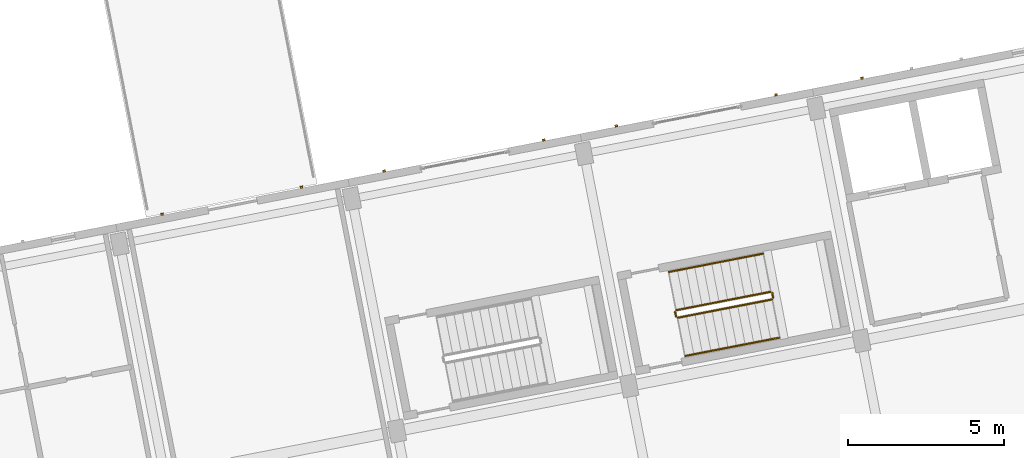
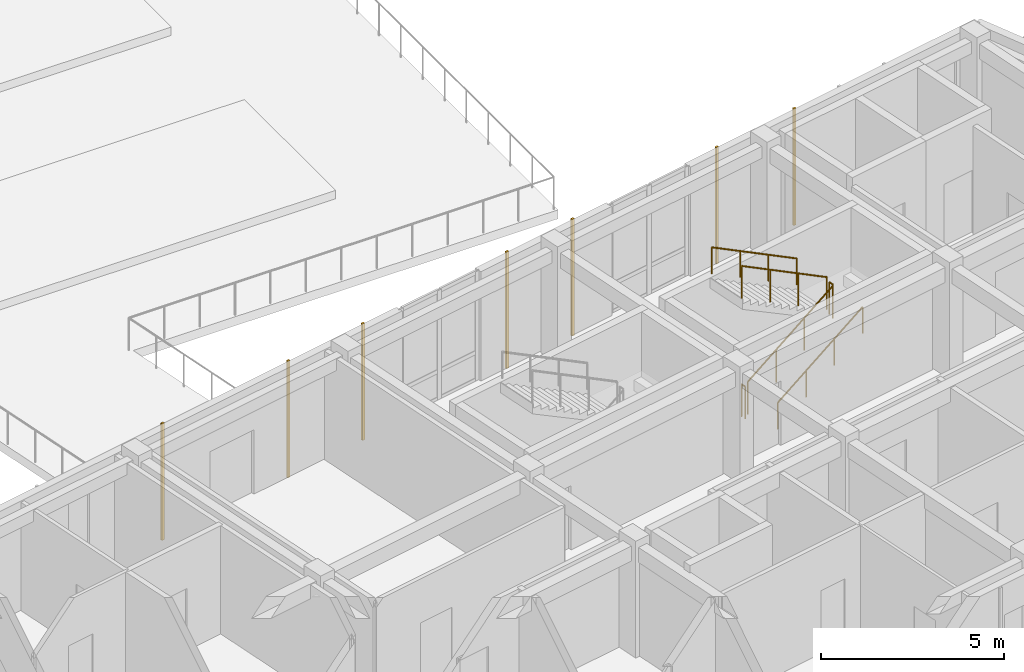
# One storey, part 143 of 150: 7 coverings, 6 railings.
"""IFC4 building model written with IfcOpenShell, lengths in metres."""

import ifcopenshell
import ifcopenshell.guid

model = None  # the IFC model being written
_history = None  # IfcOwnerHistory: only IFC2X3 demands one
_inside = {}  # id of a spatial element -> (the spatial element, [elements in it])
_under = {}  # id of a project, library or spatial element -> (it, [spatial elements below it])
_declared = {}  # id of a project -> (the project, [libraries it declares])
_typed = {}  # id of a type object -> (the type object, [elements of that type])
_made_of = {}  # id of a material, layer set ... -> (it, [elements and type objects made of it])


def new_model(schema):
    """Start an empty IFC model of exactly this schema.

    Asked for "IFC4X3", IfcOpenShell would pick the latest addendum, in which some entities
    have other attributes; the version numbers below select the first issue.
    IFC2X3 requires an IfcOwnerHistory on every rooted entity: one is made here for all.
    """
    global model, _history
    if schema == "IFC4X3":
        model = ifcopenshell.file(schema_version=(4, 3, 0, 0))
    else:
        model = ifcopenshell.file(schema=schema)
    _inside.clear()
    _under.clear()
    _declared.clear()
    _typed.clear()
    _made_of.clear()
    _history = None
    if model.schema == "IFC2X3":
        org = make("IfcOrganization", Name="unknown")
        user = make(
            "IfcPersonAndOrganization",
            ThePerson=make("IfcPerson", FamilyName="unknown"),
            TheOrganization=org,
        )
        app = make(
            "IfcApplication",
            ApplicationDeveloper=org,
            Version="unknown",
            ApplicationFullName="unknown",
            ApplicationIdentifier="unknown",
        )
        _history = make(
            "IfcOwnerHistory",
            OwningUser=user,
            OwningApplication=app,
            ChangeAction="ADDED",
            CreationDate=0,
        )
    return model


def make(cls, **values):
    """One entity of the class cls with the attributes given. An attribute that is None is left unset."""
    return model.create_entity(
        cls, **{name: value for name, value in values.items() if value is not None}
    )


def rooted(cls, **values):
    """An entity with a GlobalId (a new one), such as an element, a storey or a relation."""
    return make(cls, GlobalId=ifcopenshell.guid.new(), OwnerHistory=_history, **values)


def si_unit(unit_type, name, prefix=None):
    """IfcSIUnit, for example si_unit("LENGTHUNIT", "METRE", prefix="MILLI")."""
    return make("IfcSIUnit", UnitType=unit_type, Prefix=prefix, Name=name)


def assignment(units):
    """IfcUnitAssignment: the units of a project."""
    return None if units is None else make("IfcUnitAssignment", Units=units)


def point(xyz):
    """IfcCartesianPoint."""
    return None if xyz is None else make("IfcCartesianPoint", Coordinates=xyz)


def direction(xyz):
    """IfcDirection."""
    return None if xyz is None else make("IfcDirection", DirectionRatios=xyz)


def frame(location, z_axis=None, x_axis=None):
    """IfcAxis2Placement3D, a coordinate frame: its origin and axes. An axis left out is left unset."""
    return make(
        "IfcAxis2Placement3D",
        Location=point(location),
        Axis=direction(z_axis),
        RefDirection=direction(x_axis),
    )


def frame_2d(location, x_axis=None):
    """IfcAxis2Placement2D, a coordinate frame in the plane: its origin and x axis."""
    return make(
        "IfcAxis2Placement2D", Location=point(location), RefDirection=direction(x_axis)
    )


def origin():
    """The frame at (0, 0, 0) with its axes left unset."""
    return frame((0.0, 0.0, 0.0))


def origin_2d():
    """The frame at (0, 0) in the plane with its x axis left unset."""
    return frame_2d((0.0, 0.0))


def place(relative_to, where):
    """IfcLocalPlacement: puts the frame where relative to a parent placement (None: the world)."""
    return make(
        "IfcLocalPlacement", PlacementRelTo=relative_to, RelativePlacement=where
    )


def context(
    kind, dimensions, precision=None, world=None, true_north=None, identifier=None
):
    """IfcGeometricRepresentationContext, for example the 3D "Model" context."""
    return make(
        "IfcGeometricRepresentationContext",
        ContextIdentifier=identifier,
        ContextType=kind,
        CoordinateSpaceDimension=dimensions,
        Precision=precision,
        WorldCoordinateSystem=world,
        TrueNorth=true_north,
    )


def subcontext(parent, identifier, kind, view, scale=None):
    """IfcGeometricRepresentationSubContext, for example "Body" below "Model"."""
    return make(
        "IfcGeometricRepresentationSubContext",
        ContextIdentifier=identifier,
        ContextType=kind,
        ParentContext=parent,
        TargetScale=scale,
        TargetView=view,
    )


def project(units=None, contexts=None):
    """IfcProject with its units and contexts."""
    return rooted(
        "IfcProject",
        Name="project",
        RepresentationContexts=contexts,
        UnitsInContext=assignment(units),
    )


def spatial(cls, under=None, at=None, **own):
    """A site, building, storey or space (cls), placed at a placement, below another one or the project."""
    s = rooted(cls, ObjectPlacement=at, **own)
    if under is not None:
        _under.setdefault(under.id(), (under, []))[1].append(s)
    return s


def profile(cls, at=None, kind="AREA", **sizes):
    """A parametric profile (cls). Its sizes go by their IFC names, for example OverallWidth=200.0."""
    return make(cls, ProfileType=kind, Position=at, **sizes)


def rectangle(**sizes):
    """IfcRectangleProfileDef."""
    return profile("IfcRectangleProfileDef", **sizes)


def circle(**sizes):
    """IfcCircleProfileDef."""
    return profile("IfcCircleProfileDef", **sizes)


def extrude(swept, where, along, depth):
    """IfcExtrudedAreaSolid: the profile swept, set in the frame where, extruded along a direction by depth."""
    return make(
        "IfcExtrudedAreaSolid",
        SweptArea=swept,
        Position=where,
        ExtrudedDirection=direction(along),
        Depth=depth,
    )


def shape(context_of_items, identifier, shape_type, items):
    """IfcShapeRepresentation: the items that make up one representation, for example the "Body"."""
    return make(
        "IfcShapeRepresentation",
        ContextOfItems=context_of_items,
        RepresentationIdentifier=identifier,
        RepresentationType=shape_type,
        Items=items,
    )


def material(Name=None, Category=None):
    """IfcMaterial."""
    return make("IfcMaterial", Name=Name, Category=Category)


def layer(
    of_material, thickness, ventilated=None, Name=None, Category=None, Priority=None
):
    """IfcMaterialLayer: one layer of a wall or slab, of a material (None: an air gap)."""
    return make(
        "IfcMaterialLayer",
        Material=of_material,
        LayerThickness=thickness,
        IsVentilated=ventilated,
        Name=Name,
        Category=Category,
        Priority=Priority,
    )


def layer_set(layers, Name=None):
    """IfcMaterialLayerSet."""
    return make("IfcMaterialLayerSet", MaterialLayers=layers, LayerSetName=Name)


def made_of(thing, what):
    """Note that an element or type object is made of a material, layer set ...; save() writes the relation."""
    if what is not None:
        _made_of.setdefault(what.id(), (what, []))[1].append(thing)
    return thing


def type_object(cls, material=None, **own):
    """A type object (cls), such as IfcWallType, which elements share."""
    return made_of(rooted(cls, **own), material)


def element(
    cls,
    number,
    at=None,
    inside=None,
    cuts=None,
    type_object=None,
    material=None,
    context=None,
    identifier="Body",
    shape_type=None,
    held_by="IfcProductDefinitionShape",
    body=None,
    shapes=None,
    **own,
):
    """One element of the class cls, such as IfcWall. Its Tag is "e" and its number.

    at: its placement. inside: the storey or other place that contains it. cuts: it is an
    opening in that element (IfcRelVoidsElement). A single representation is given by context,
    identifier, shape_type and body (its items); several are given by shapes. held_by: the class
    of the entity that holds the representations. save() writes the other relations.
    """
    e = rooted(cls, Tag="e%d" % number, ObjectPlacement=at, **own)
    if body is not None:
        shapes = [shape(context, identifier, shape_type, body)]
    if shapes is not None:
        e.Representation = make(held_by, Representations=shapes)
    if inside is not None:
        _inside.setdefault(inside.id(), (inside, []))[1].append(e)
    if cuts is not None:
        rooted(
            "IfcRelVoidsElement", RelatingBuildingElement=cuts, RelatedOpeningElement=e
        )
    if type_object is not None:
        _typed.setdefault(type_object.id(), (type_object, []))[1].append(e)
    return made_of(e, material)


def aggregate(whole, parts):
    """IfcRelAggregates: a whole, such as a stair, and the parts it consists of."""
    return rooted("IfcRelAggregates", RelatingObject=whole, RelatedObjects=parts)


def save(model, path):
    """Write the relations noted so far, then the file.

    IfcRelAggregates (storeys below a building ...), IfcRelContainedInSpatialStructure (elements
    in a storey), IfcRelDefinesByType, IfcRelAssociatesMaterial and IfcRelDeclares: one each for
    every whole, place, type object, material and project.
    """
    for whole, parts in _under.values():
        aggregate(whole, parts)
    for where, things in _inside.values():
        rooted(
            "IfcRelContainedInSpatialStructure",
            RelatedElements=things,
            RelatingStructure=where,
        )
    for kind, things in _typed.values():
        rooted("IfcRelDefinesByType", RelatedObjects=things, RelatingType=kind)
    for what, things in _made_of.values():
        rooted("IfcRelAssociatesMaterial", RelatedObjects=things, RelatingMaterial=what)
    for by, libraries in _declared.values():
        rooted("IfcRelDeclares", RelatingContext=by, RelatedDefinitions=libraries)
    model.write(path)


model = new_model("IFC4")

# Units and contexts
model_context = context("Model", 3, precision=1e-05, world=origin(), true_north=direction((0.0, 1.0)))
body_context = subcontext(model_context, "Body", "Model", "MODEL_VIEW")
ifc_project = project(units=[si_unit("LENGTHUNIT", "METRE"), si_unit("AREAUNIT", "SQUARE_METRE"), si_unit("VOLUMEUNIT", "CUBIC_METRE"), si_unit("PLANEANGLEUNIT", "RADIAN"), si_unit("MASSUNIT", "GRAM", prefix="KILO")], contexts=[model_context])

# Site, building, storey
site_placement = place(None, origin())
site = spatial("IfcSite", under=ifc_project, at=site_placement, CompositionType="ELEMENT")
building_placement = place(site_placement, origin())
building = spatial("IfcBuilding", under=site, at=building_placement, Name="Kestramere Prow Commons", CompositionType="ELEMENT")
storey_placement = place(building_placement, frame((0.0, 0.0, 4.5)))
storey = spatial("IfcBuildingStorey", under=building, at=storey_placement, Name="L01", CompositionType="ELEMENT", Elevation=4.5)

# Coverings
ifc_material_1 = material(Name="Weathered Zinc-Titanium Standing-Seam Cladding")
ifc_layer = layer(ifc_material_1, 0.074951171875)
ifc_layer_set = layer_set([ifc_layer], Name="Weathered Zinc-Titanium Standing-Seam Cladding")
covering_type = type_object("IfcCoveringType", Name="COV-CLAD-SEAM", PredefinedType="CLADDING", material=ifc_layer_set)
for number, where, z_axis, x_axis, name in (
    (1, (130.943603515625, 57.09521484375, -0.25), (0.0, 0.0, 1.0), (0.981627183448, 0.190808995377, 0.0), "EW-D-L01-N-2 Standing-Seam Rib 1"),
    (2, (135.419921875, 57.96533203125, -0.25), (0.0, 0.0, 1.0), (0.981627183448, 0.190808995377, 0.0), "EW-D-L01-N-2 Standing-Seam Rib 4"),
    (3, (138.07763671875, 58.48193359375, -0.25), (0.0, 0.0, 1.0), (0.981627183448, 0.190808995377, 0.0), "EW-D-L01-NP-3-L Standing-Seam Rib 1"),
    (4, (143.20654296875, 59.47900390625, -0.25), (0.0, 0.0, 1.0), (0.981627183448, 0.190808995377, 0.0), "EW-D-L01-NP-3-R Standing-Seam Rib 1"),
    (5, (145.5380859375, 59.93212890625, -0.25), (0.0, 0.0, 1.0), (0.981627183448, 0.190808995377, 0.0), "EW-D-L01-NP-4-L Standing-Seam Rib 1"),
    (6, (150.6669921875, 60.92919921875, -0.25), (0.0, 0.0, 1.0), (0.981627183448, 0.190808995377, 0.0), "EW-D-L01-NP-4-R Standing-Seam Rib 1"),
    (7, (153.427734375, 61.4658203125, -0.25), (0.0, 0.0, 1.0), (0.981627183448, 0.190808995377, 0.0), "EW-D-L01-N-5 Standing-Seam Rib 1"),
):
    element("IfcCovering", number, at=place(storey_placement, frame(where, z_axis=z_axis, x_axis=x_axis)), inside=storey, type_object=covering_type, Name=name, PredefinedType="CLADDING", context=body_context, shape_type="SweptSolid", body=[
        extrude(rectangle(XDim=0.0849609375, YDim=0.06494140625, at=origin_2d()), origin(), (0.0, 0.0, 1.0), 3.89990234375),
    ])

# Railings
ifc_material_2 = material(Name="Galvanised Steel S275JR", Category="steel")
railing_type_1 = type_object("IfcRailingType", Name="RL-ST-GR-1100", PredefinedType="GUARDRAIL", material=ifc_material_2)
railing_1_placement = place(storey_placement, frame((147.512939453125, 53.768310546875, 0.16259765625)))
element("IfcRailing", 8, at=railing_1_placement, inside=storey, type_object=railing_type_1, Name="L01 ST-D2 stair guard 1", PredefinedType="GUARDRAIL", context=body_context, shape_type="SweptSolid", body=[
    extrude(circle(Radius=0.02392578125, at=origin_2d()), frame((0.0, 0.0, 1.076171875), z_axis=(0.849027832421, 0.165020186744, 0.501916405132), x_axis=(-0.190793280275, 0.981630238023, 0.0)), (0.0, 0.0, 1.0), 3.56103515625),
    extrude(circle(Radius=0.02099609375, at=origin_2d()), origin(), (0.0, 0.0, 1.0), 1.052001953125),
    extrude(circle(Radius=0.02099609375, at=origin_2d()), frame((1.0078125, 0.19580078125, 0.595703125)), (0.0, 0.0, 1.0), 1.052001953125),
    extrude(circle(Radius=0.02099609375, at=origin_2d()), frame((2.015625, 0.391845703125, 1.191650390625)), (0.0, 0.0, 1.0), 1.052001953125),
    extrude(circle(Radius=0.02099609375, at=origin_2d()), frame((3.0234375, 0.587646484375, 1.787353515625)), (0.0, 0.0, 1.0), 1.052001953125),
])
railing_2_placement = place(storey_placement, frame((150.575927734375, 54.41455078125, 1.949951171875)))
element("IfcRailing", 9, at=railing_2_placement, inside=storey, type_object=railing_type_1, Name="L01 ST-D2 stair guard 2", PredefinedType="GUARDRAIL", context=body_context, shape_type="SweptSolid", body=[
    extrude(circle(Radius=0.02392578125, at=origin_2d()), frame((0.0, 0.0, 1.076171875), z_axis=(-0.190477468355, 0.981691567677, 0.0), x_axis=(-0.981691567677, -0.190477468355, 0.0)), (0.0, 0.0, 1.0), 0.14990234375),
    extrude(circle(Radius=0.02099609375, at=origin_2d()), origin(), (0.0, 0.0, 1.0), 1.052001953125),
    extrude(circle(Radius=0.02099609375, at=origin_2d()), frame((-0.028564453125, 0.147216796875, 0.0)), (0.0, 0.0, 1.0), 1.052001953125),
])
railing_3_placement = place(storey_placement, frame((150.488525390625, 54.601318359375, 2.112548828125)))
element("IfcRailing", 10, at=railing_3_placement, inside=storey, type_object=railing_type_1, Name="L01 ST-D2 stair guard 3", PredefinedType="GUARDRAIL", context=body_context, shape_type="SweptSolid", body=[
    extrude(circle(Radius=0.02392578125, at=origin_2d()), frame((0.0, 0.0, 1.076171875), z_axis=(-0.84900869254, -0.165029792695, 0.501945622069), x_axis=(0.190808127016, -0.981627352239, 0.0)), (0.0, 0.0, 1.0), 3.560791015625),
    extrude(circle(Radius=0.02099609375, at=origin_2d()), origin(), (0.0, 0.0, 1.0), 1.052001953125),
    extrude(circle(Radius=0.02099609375, at=origin_2d()), frame((-1.0078125, -0.19580078125, 0.595703125)), (0.0, 0.0, 1.0), 1.052001953125),
    extrude(circle(Radius=0.02099609375, at=origin_2d()), frame((-2.015380859375, -0.391845703125, 1.191650390625)), (0.0, 0.0, 1.0), 1.052001953125),
    extrude(circle(Radius=0.02099609375, at=origin_2d()), frame((-3.023193359375, -0.587646484375, 1.787353515625)), (0.0, 0.0, 1.0), 1.052001953125),
])
railing_4_placement = place(storey_placement, frame((147.454345703125, 53.807861328125, 0.0)))
element("IfcRailing", 11, at=railing_4_placement, inside=storey, type_object=railing_type_1, Name="L01 ST-D2 stair guard 4", PredefinedType="GUARDRAIL", context=body_context, shape_type="SweptSolid", body=[
    extrude(circle(Radius=0.02392578125, at=origin_2d()), frame((0.0, 0.0, 1.076171875), z_axis=(-0.190477468355, 0.981691567677, 0.0), x_axis=(-0.981691567677, -0.190477468355, 0.0)), (0.0, 0.0, 1.0), 0.14990234375),
    extrude(circle(Radius=0.02099609375, at=origin_2d()), origin(), (0.0, 0.0, 1.0), 1.052001953125),
    extrude(circle(Radius=0.02099609375, at=origin_2d()), frame((-0.028564453125, 0.147216796875, 0.0)), (0.0, 0.0, 1.0), 1.052001953125),
])
ifc_material_3 = material(Name="Stainless Steel 304", Category="steel")
railing_type_2 = type_object("IfcRailingType", Name="RL-ST-HR-900", PredefinedType="HANDRAIL", material=ifc_material_3)
railing_5_placement = place(storey_placement, frame((147.75146484375, 52.541259765625, 0.324951171875)))
element("IfcRailing", 12, at=railing_5_placement, inside=storey, type_object=railing_type_2, Name="L01 ST-D2 stair handrail 1", PredefinedType="HANDRAIL", context=body_context, shape_type="SweptSolid", body=[
    extrude(circle(Radius=0.02392578125, at=origin_2d()), frame((0.0, 0.0, 0.8759765625), z_axis=(0.848998616368, 0.165014508204, 0.501967689684), x_axis=(-0.190793280275, 0.981630238023, 0.0)), (0.0, 0.0, 1.0), 3.561279296875),
    extrude(circle(Radius=0.02099609375, at=origin_2d()), origin(), (0.0, 0.0, 1.0), 0.851806640625),
    extrude(circle(Radius=0.02099609375, at=origin_2d()), frame((1.0078125, 0.19580078125, 0.595947265625)), (0.0, 0.0, 1.0), 0.851806640625),
    extrude(circle(Radius=0.02099609375, at=origin_2d()), frame((2.015625, 0.391845703125, 1.191650390625)), (0.0, 0.0, 1.0), 0.851806640625),
    extrude(circle(Radius=0.02099609375, at=origin_2d()), frame((3.0234375, 0.587646484375, 1.78759765625)), (0.0, 0.0, 1.0), 0.851806640625),
])
railing_6_placement = place(storey_placement, frame((150.250244140625, 55.828369140625, 2.27490234375)))
element("IfcRailing", 13, at=railing_6_placement, inside=storey, type_object=railing_type_2, Name="L01 ST-D2 stair handrail 2", PredefinedType="HANDRAIL", context=body_context, shape_type="SweptSolid", body=[
    extrude(circle(Radius=0.02392578125, at=origin_2d()), frame((0.0, 0.0, 0.8759765625), z_axis=(-0.848998616368, -0.165014508204, 0.501967689684), x_axis=(0.190793280275, -0.981630238023, 0.0)), (0.0, 0.0, 1.0), 3.561279296875),
    extrude(circle(Radius=0.02099609375, at=origin_2d()), origin(), (0.0, 0.0, 1.0), 0.851806640625),
    extrude(circle(Radius=0.02099609375, at=origin_2d()), frame((-1.0078125, -0.19580078125, 0.595947265625)), (0.0, 0.0, 1.0), 0.851806640625),
    extrude(circle(Radius=0.02099609375, at=origin_2d()), frame((-2.015625, -0.391845703125, 1.191650390625)), (0.0, 0.0, 1.0), 0.851806640625),
    extrude(circle(Radius=0.02099609375, at=origin_2d()), frame((-3.0234375, -0.587646484375, 1.78759765625)), (0.0, 0.0, 1.0), 0.851806640625),
])

save(model, "model.ifc")
